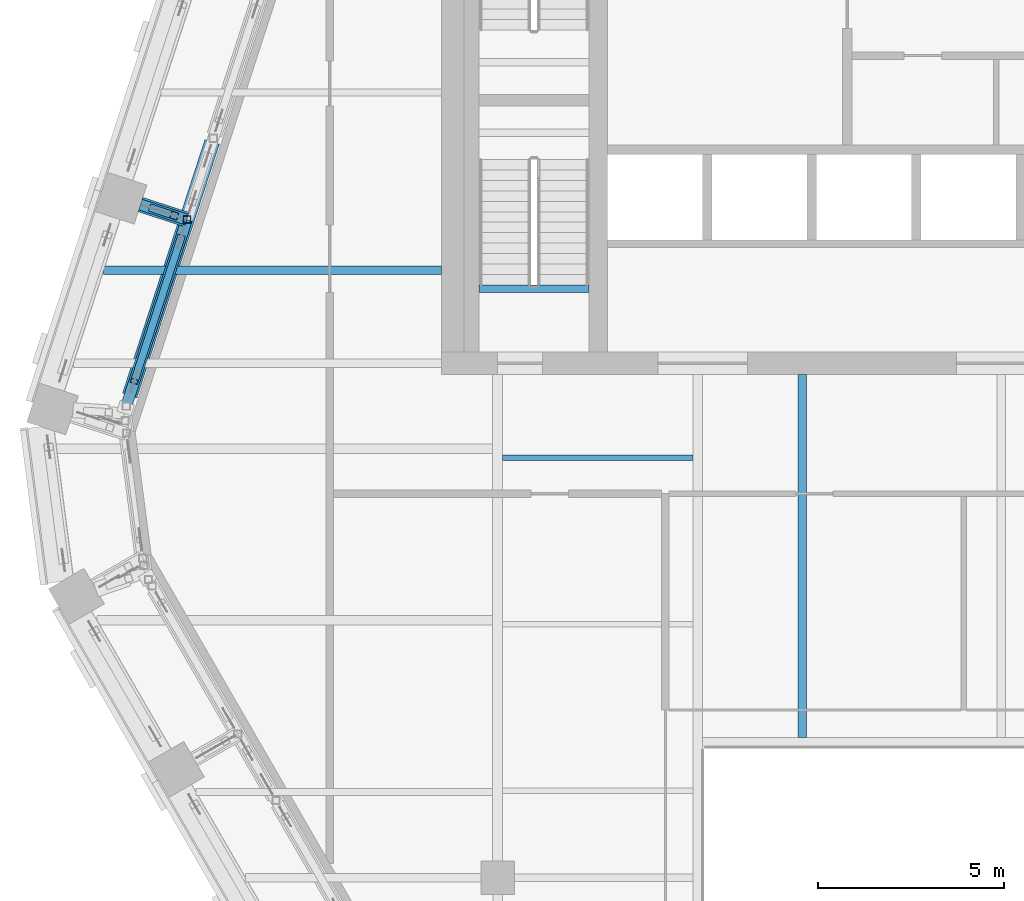
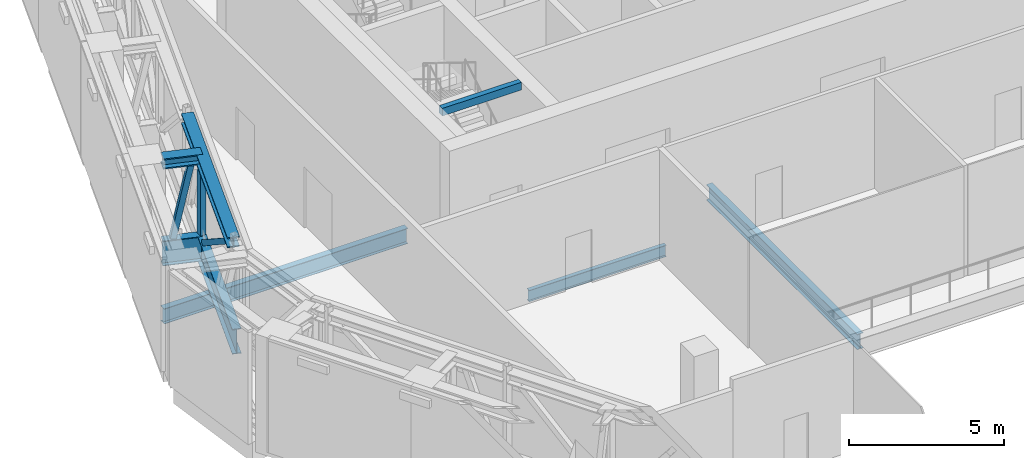
# One storey, part 6 of 25: 7 members, 4 beams.
"""IFC4 building model written with IfcOpenShell, lengths in metres."""

import ifcopenshell
import ifcopenshell.guid

model = None  # the IFC model being written
_history = None  # IfcOwnerHistory: only IFC2X3 demands one
_inside = {}  # id of a spatial element -> (the spatial element, [elements in it])
_under = {}  # id of a project, library or spatial element -> (it, [spatial elements below it])
_declared = {}  # id of a project -> (the project, [libraries it declares])
_typed = {}  # id of a type object -> (the type object, [elements of that type])
_made_of = {}  # id of a material, layer set ... -> (it, [elements and type objects made of it])


def new_model(schema):
    """Start an empty IFC model of exactly this schema.

    Asked for "IFC4X3", IfcOpenShell would pick the latest addendum, in which some entities
    have other attributes; the version numbers below select the first issue.
    IFC2X3 requires an IfcOwnerHistory on every rooted entity: one is made here for all.
    """
    global model, _history
    if schema == "IFC4X3":
        model = ifcopenshell.file(schema_version=(4, 3, 0, 0))
    else:
        model = ifcopenshell.file(schema=schema)
    _inside.clear()
    _under.clear()
    _declared.clear()
    _typed.clear()
    _made_of.clear()
    _history = None
    if model.schema == "IFC2X3":
        org = make("IfcOrganization", Name="unknown")
        user = make(
            "IfcPersonAndOrganization",
            ThePerson=make("IfcPerson", FamilyName="unknown"),
            TheOrganization=org,
        )
        app = make(
            "IfcApplication",
            ApplicationDeveloper=org,
            Version="unknown",
            ApplicationFullName="unknown",
            ApplicationIdentifier="unknown",
        )
        _history = make(
            "IfcOwnerHistory",
            OwningUser=user,
            OwningApplication=app,
            ChangeAction="ADDED",
            CreationDate=0,
        )
    return model


def make(cls, **values):
    """One entity of the class cls with the attributes given. An attribute that is None is left unset."""
    return model.create_entity(
        cls, **{name: value for name, value in values.items() if value is not None}
    )


def rooted(cls, **values):
    """An entity with a GlobalId (a new one), such as an element, a storey or a relation."""
    return make(cls, GlobalId=ifcopenshell.guid.new(), OwnerHistory=_history, **values)


def si_unit(unit_type, name, prefix=None):
    """IfcSIUnit, for example si_unit("LENGTHUNIT", "METRE", prefix="MILLI")."""
    return make("IfcSIUnit", UnitType=unit_type, Prefix=prefix, Name=name)


def assignment(units):
    """IfcUnitAssignment: the units of a project."""
    return None if units is None else make("IfcUnitAssignment", Units=units)


def point(xyz):
    """IfcCartesianPoint."""
    return None if xyz is None else make("IfcCartesianPoint", Coordinates=xyz)


def direction(xyz):
    """IfcDirection."""
    return None if xyz is None else make("IfcDirection", DirectionRatios=xyz)


def frame(location, z_axis=None, x_axis=None):
    """IfcAxis2Placement3D, a coordinate frame: its origin and axes. An axis left out is left unset."""
    return make(
        "IfcAxis2Placement3D",
        Location=point(location),
        Axis=direction(z_axis),
        RefDirection=direction(x_axis),
    )


def frame_2d(location, x_axis=None):
    """IfcAxis2Placement2D, a coordinate frame in the plane: its origin and x axis."""
    return make(
        "IfcAxis2Placement2D", Location=point(location), RefDirection=direction(x_axis)
    )


def origin():
    """The frame at (0, 0, 0) with its axes left unset."""
    return frame((0.0, 0.0, 0.0))


def origin_2d():
    """The frame at (0, 0) in the plane with its x axis left unset."""
    return frame_2d((0.0, 0.0))


def place(relative_to, where):
    """IfcLocalPlacement: puts the frame where relative to a parent placement (None: the world)."""
    return make(
        "IfcLocalPlacement", PlacementRelTo=relative_to, RelativePlacement=where
    )


def context(
    kind, dimensions, precision=None, world=None, true_north=None, identifier=None
):
    """IfcGeometricRepresentationContext, for example the 3D "Model" context."""
    return make(
        "IfcGeometricRepresentationContext",
        ContextIdentifier=identifier,
        ContextType=kind,
        CoordinateSpaceDimension=dimensions,
        Precision=precision,
        WorldCoordinateSystem=world,
        TrueNorth=true_north,
    )


def subcontext(parent, identifier, kind, view, scale=None):
    """IfcGeometricRepresentationSubContext, for example "Body" below "Model"."""
    return make(
        "IfcGeometricRepresentationSubContext",
        ContextIdentifier=identifier,
        ContextType=kind,
        ParentContext=parent,
        TargetScale=scale,
        TargetView=view,
    )


def project(units=None, contexts=None):
    """IfcProject with its units and contexts."""
    return rooted(
        "IfcProject",
        Name="project",
        RepresentationContexts=contexts,
        UnitsInContext=assignment(units),
    )


def spatial(cls, under=None, at=None, **own):
    """A site, building, storey or space (cls), placed at a placement, below another one or the project."""
    s = rooted(cls, ObjectPlacement=at, **own)
    if under is not None:
        _under.setdefault(under.id(), (under, []))[1].append(s)
    return s


def profile(cls, at=None, kind="AREA", **sizes):
    """A parametric profile (cls). Its sizes go by their IFC names, for example OverallWidth=200.0."""
    return make(cls, ProfileType=kind, Position=at, **sizes)


def rectangle(**sizes):
    """IfcRectangleProfileDef."""
    return profile("IfcRectangleProfileDef", **sizes)


def hollow_rectangle(**sizes):
    """IfcRectangleHollowProfileDef."""
    return profile("IfcRectangleHollowProfileDef", **sizes)


def i_section(**sizes):
    """IfcIShapeProfileDef."""
    return profile("IfcIShapeProfileDef", **sizes)


def extrude(swept, where, along, depth):
    """IfcExtrudedAreaSolid: the profile swept, set in the frame where, extruded along a direction by depth."""
    return make(
        "IfcExtrudedAreaSolid",
        SweptArea=swept,
        Position=where,
        ExtrudedDirection=direction(along),
        Depth=depth,
    )


def shape(context_of_items, identifier, shape_type, items):
    """IfcShapeRepresentation: the items that make up one representation, for example the "Body"."""
    return make(
        "IfcShapeRepresentation",
        ContextOfItems=context_of_items,
        RepresentationIdentifier=identifier,
        RepresentationType=shape_type,
        Items=items,
    )


def material(Name=None, Category=None):
    """IfcMaterial."""
    return make("IfcMaterial", Name=Name, Category=Category)


def material_profile(
    of_material, cross_section, Name=None, Category=None, Priority=None
):
    """IfcMaterialProfile: a cross section and its material."""
    return make(
        "IfcMaterialProfile",
        Name=Name,
        Material=of_material,
        Profile=cross_section,
        Priority=Priority,
        Category=Category,
    )


def profile_set(profiles, Name=None, composite=None):
    """IfcMaterialProfileSet."""
    return make(
        "IfcMaterialProfileSet",
        Name=Name,
        MaterialProfiles=profiles,
        CompositeProfile=composite,
    )


def made_of(thing, what):
    """Note that an element or type object is made of a material, layer set ...; save() writes the relation."""
    if what is not None:
        _made_of.setdefault(what.id(), (what, []))[1].append(thing)
    return thing


def type_object(cls, material=None, **own):
    """A type object (cls), such as IfcWallType, which elements share."""
    return made_of(rooted(cls, **own), material)


def element(
    cls,
    number,
    at=None,
    inside=None,
    cuts=None,
    type_object=None,
    material=None,
    context=None,
    identifier="Body",
    shape_type=None,
    held_by="IfcProductDefinitionShape",
    body=None,
    shapes=None,
    **own,
):
    """One element of the class cls, such as IfcWall. Its Tag is "e" and its number.

    at: its placement. inside: the storey or other place that contains it. cuts: it is an
    opening in that element (IfcRelVoidsElement). A single representation is given by context,
    identifier, shape_type and body (its items); several are given by shapes. held_by: the class
    of the entity that holds the representations. save() writes the other relations.
    """
    e = rooted(cls, Tag="e%d" % number, ObjectPlacement=at, **own)
    if body is not None:
        shapes = [shape(context, identifier, shape_type, body)]
    if shapes is not None:
        e.Representation = make(held_by, Representations=shapes)
    if inside is not None:
        _inside.setdefault(inside.id(), (inside, []))[1].append(e)
    if cuts is not None:
        rooted(
            "IfcRelVoidsElement", RelatingBuildingElement=cuts, RelatedOpeningElement=e
        )
    if type_object is not None:
        _typed.setdefault(type_object.id(), (type_object, []))[1].append(e)
    return made_of(e, material)


def aggregate(whole, parts):
    """IfcRelAggregates: a whole, such as a stair, and the parts it consists of."""
    return rooted("IfcRelAggregates", RelatingObject=whole, RelatedObjects=parts)


def save(model, path):
    """Write the relations noted so far, then the file.

    IfcRelAggregates (storeys below a building ...), IfcRelContainedInSpatialStructure (elements
    in a storey), IfcRelDefinesByType, IfcRelAssociatesMaterial and IfcRelDeclares: one each for
    every whole, place, type object, material and project.
    """
    for whole, parts in _under.values():
        aggregate(whole, parts)
    for where, things in _inside.values():
        rooted(
            "IfcRelContainedInSpatialStructure",
            RelatedElements=things,
            RelatingStructure=where,
        )
    for kind, things in _typed.values():
        rooted("IfcRelDefinesByType", RelatedObjects=things, RelatingType=kind)
    for what, things in _made_of.values():
        rooted("IfcRelAssociatesMaterial", RelatedObjects=things, RelatingMaterial=what)
    for by, libraries in _declared.values():
        rooted("IfcRelDeclares", RelatingContext=by, RelatedDefinitions=libraries)
    model.write(path)


model = new_model("IFC4")

# Units and contexts
model_context = context("Model", 3, precision=1e-05, world=origin(), true_north=direction((0.0, 1.0)))
body_context = subcontext(model_context, "Body", "Model", "MODEL_VIEW")
ifc_project = project(units=[si_unit("LENGTHUNIT", "METRE"), si_unit("AREAUNIT", "SQUARE_METRE"), si_unit("VOLUMEUNIT", "CUBIC_METRE"), si_unit("PLANEANGLEUNIT", "RADIAN"), si_unit("MASSUNIT", "GRAM", prefix="KILO")], contexts=[model_context])

# Site, building, storey
site_placement = place(None, origin())
site = spatial("IfcSite", under=ifc_project, at=site_placement, CompositionType="ELEMENT")
building_placement = place(site_placement, origin())
building = spatial("IfcBuilding", under=site, at=building_placement, Name="Isthmus Gate Tower", CompositionType="ELEMENT")
storey_placement = place(building_placement, frame((0.0, 0.0, 256.449951171875)))
storey = spatial("IfcBuildingStorey", under=building, at=storey_placement, Name="L65", CompositionType="ELEMENT", Elevation=256.449951171875)

# Beams
ifc_material_1 = material(Name="Concrete f'c 40 MPa", Category="concrete")
ifc_material_profile_1 = material_profile(ifc_material_1, rectangle(XDim=0.199951171875, YDim=0.300048828125, at=origin_2d()), Name="STAIR LANDING BEAM RC 200 X 300")
ifc_profile_set_1 = profile_set([ifc_material_profile_1], Name="Concrete f'c 40 MPa")
beam_type_1 = type_object("IfcBeamType", Name="STAIR LANDING BEAM RC 200 X 300", PredefinedType="BEAM", material=ifc_profile_set_1)
beam_1_placement = place(storey_placement, frame((-14.0, 2.2998046875, 4.199951171875), z_axis=(1.0, 0.0, 0.0), x_axis=(0.0, 1.0, 0.0)))
element("IfcBeam", 1, at=beam_1_placement, inside=storey, type_object=beam_type_1, Name="L65 ST7 floor-edge seat beam", PredefinedType="BEAM", context=body_context, shape_type="SweptSolid", body=[
    extrude(rectangle(XDim=0.199951171875, YDim=0.300048828125, at=origin_2d()), origin(), (0.0, 0.0, 1.0), 2.949951171875),
])
ifc_material_2 = material(Name="Structural steel ASTM A992 Gr 50", Category="steel")
ifc_material_profile_2 = material_profile(ifc_material_2, i_section(OverallWidth=0.15234375, OverallDepth=0.45068359375, WebThickness=0.0078125, FlangeThickness=0.010986328125, at=origin_2d()), Name="W18X35")
ifc_profile_set_2 = profile_set([ifc_material_profile_2], Name="Structural steel ASTM A992 Gr 50")
beam_type_2 = type_object("IfcBeamType", Name="STEEL FLOOR BEAM W18X35", PredefinedType="JOIST", material=ifc_profile_set_2)
beam_2_placement = place(storey_placement, frame((-13.3681640625, -2.232421875, -0.525390625), z_axis=(1.0, 0.0, 0.0), x_axis=(0.0, 1.0, 0.0)))
element("IfcBeam", 2, at=beam_2_placement, inside=storey, type_object=beam_type_2, Name="str-beam-L65-03-02", PredefinedType="JOIST", context=body_context, shape_type="SweptSolid", body=[
    extrude(i_section(OverallWidth=0.15234375, OverallDepth=0.45068359375, WebThickness=0.0078125, FlangeThickness=0.010986328125, at=origin_2d()), origin(), (0.0, 0.0, 1.0), 5.104736328125),
])
ifc_material_3 = material(Name="Structural steel ASTM A992 Gr 50", Category="steel")
ifc_material_profile_3 = material_profile(ifc_material_3, i_section(OverallWidth=0.228515625, OverallDepth=0.603271484375, WebThickness=0.010986328125, FlangeThickness=0.014404296875, at=origin_2d()), Name="W24X68")
ifc_profile_set_3 = profile_set([ifc_material_profile_3], Name="Structural steel ASTM A992 Gr 50")
beam_type_3 = type_object("IfcBeamType", Name="STEEL FLOOR BEAM W24X68", PredefinedType="JOIST", material=ifc_profile_set_3)
beam_3_placement = place(storey_placement, frame((-24.06787109375, 2.795166015625, -0.6015625), z_axis=(1.0, 0.0, 0.0), x_axis=(0.0, 1.0, 0.0)))
element("IfcBeam", 3, at=beam_3_placement, inside=storey, type_object=beam_type_3, Name="str-beam-L65-00-00", PredefinedType="JOIST", context=body_context, shape_type="SweptSolid", body=[
    extrude(i_section(OverallWidth=0.228515625, OverallDepth=0.603271484375, WebThickness=0.010986328125, FlangeThickness=0.014404296875, at=origin_2d()), origin(), (0.0, 0.0, 1.0), 9.06787109375),
])
beam_4_placement = place(storey_placement, frame((-5.333251953125, -9.7333984375, -0.6015625), z_axis=(0.0, 1.0, 0.0), x_axis=(-1.0, 0.0, 0.0)))
element("IfcBeam", 4, at=beam_4_placement, inside=storey, type_object=beam_type_3, Name="str-beam-L65-07-00", PredefinedType="JOIST", context=body_context, shape_type="SweptSolid", body=[
    extrude(i_section(OverallWidth=0.228515625, OverallDepth=0.603271484375, WebThickness=0.010986328125, FlangeThickness=0.014404296875, at=origin_2d()), origin(), (0.0, 0.0, 1.0), 9.7333984375),
])

# Members
ifc_material_4 = material(Name="Structural steel ASTM A913 Gr 65", Category="steel")
ifc_material_profile_4 = material_profile(ifc_material_4, i_section(OverallWidth=0.4033203125, OverallDepth=0.406494140625, WebThickness=0.027099609375, FlangeThickness=0.04443359375, at=origin_2d()), Name="W14X233")
ifc_profile_set_4 = profile_set([ifc_material_profile_4], Name="Structural steel ASTM A913 Gr 65")
member_type_1 = type_object("IfcMemberType", Name="TRANSFER TRUSS CHORD W14X233", PredefinedType="CHORD", material=ifc_profile_set_4)
member_1_placement = place(storey_placement, frame((-23.366455078125, -0.5673828125, 4.046875), z_axis=(0.309039758723, 0.951049119409, 0.0), x_axis=(-0.951049119409, 0.309039758723, 0.0)))
element("IfcMember", 5, at=member_1_placement, inside=storey, type_object=member_type_1, Name="str-ring09-L65-15", PredefinedType="CHORD", context=body_context, shape_type="SweptSolid", body=[
    extrude(i_section(OverallWidth=0.4033203125, OverallDepth=0.406494140625, WebThickness=0.027099609375, FlangeThickness=0.04443359375, at=origin_2d()), origin(), (0.0, 0.0, 1.0), 7.15185546875),
])
member_2_placement = place(storey_placement, frame((-23.076416015625, 4.552490234375, 4.046875), z_axis=(0.951084872298, -0.308929709945, 0.0), x_axis=(0.308929709945, 0.951084872298, 0.0)))
element("IfcMember", 6, at=member_2_placement, inside=storey, type_object=member_type_1, Name="str-link08-L65-02", PredefinedType="CHORD", context=body_context, shape_type="SweptSolid", body=[
    extrude(i_section(OverallWidth=0.4033203125, OverallDepth=0.406494140625, WebThickness=0.027099609375, FlangeThickness=0.04443359375, at=origin_2d()), origin(), (0.0, 0.0, 1.0), 1.306396484375),
])
ifc_material_5 = material(Name="Structural steel ASTM A913 Gr 65", Category="steel")
ifc_material_profile_5 = material_profile(ifc_material_5, i_section(OverallWidth=0.29833984375, OverallDepth=0.981201171875, WebThickness=0.015869140625, FlangeThickness=0.025390625, at=origin_2d()), Name="W40X167")
ifc_profile_set_5 = profile_set([ifc_material_profile_5], Name="Structural steel ASTM A913 Gr 65")
member_type_2 = type_object("IfcMemberType", Name="TRANSFER TRUSS CHORD W40X167", PredefinedType="CHORD", material=ifc_profile_set_5)
member_3_placement = place(storey_placement, frame((-23.521240234375, -1.04443359375, 0.490478515625), z_axis=(0.309003180574, 0.95106100456, 0.0), x_axis=(-0.95106100456, 0.309003180574, 0.0)))
element("IfcMember", 7, at=member_3_placement, inside=storey, type_object=member_type_2, Name="str-ring09-L65-10", PredefinedType="CHORD", context=body_context, shape_type="SweptSolid", body=[
    extrude(i_section(OverallWidth=0.29833984375, OverallDepth=0.981201171875, WebThickness=0.015869140625, FlangeThickness=0.025390625, at=origin_2d()), origin(), (0.0, 0.0, 1.0), 5.461181640625),
])
member_4_placement = place(storey_placement, frame((-23.076416015625, 4.552490234375, 0.490478515625), z_axis=(0.951084872298, -0.308929709945, 0.0), x_axis=(0.308929709945, 0.951084872298, 0.0)))
element("IfcMember", 8, at=member_4_placement, inside=storey, type_object=member_type_2, Name="str-link08-L65-01", PredefinedType="CHORD", context=body_context, shape_type="SweptSolid", body=[
    extrude(i_section(OverallWidth=0.29833984375, OverallDepth=0.981201171875, WebThickness=0.015869140625, FlangeThickness=0.025390625, at=origin_2d()), origin(), (0.0, 0.0, 1.0), 1.306396484375),
])
ifc_material_6 = material(Name="Structural steel ASTM A500 Gr C", Category="steel")
ifc_material_profile_6 = material_profile(ifc_material_6, hollow_rectangle(XDim=0.203125, YDim=0.203125, WallThickness=0.01171875, at=origin_2d()), Name="HSS8X8X1/2")
ifc_profile_set_6 = profile_set([ifc_material_profile_6], Name="Structural steel ASTM A500 Gr C")
member_type_3 = type_object("IfcMemberType", Name="TRANSFER TRUSS DIAGONAL HSS8X8X1/2", PredefinedType="BRACE", material=ifc_profile_set_6)
member_5_placement = place(storey_placement, frame((-21.98828125, 3.673828125, 0.981201171875), z_axis=(-0.252566092479, -0.777353226269, 0.576135687611), x_axis=(0.951060572715, -0.309004509719, 0.0)))
element("IfcMember", 9, at=member_5_placement, inside=storey, type_object=member_type_3, Name="str-ring09-L65-19", PredefinedType="BRACE", context=body_context, shape_type="SweptSolid", body=[
    extrude(hollow_rectangle(XDim=0.203125, YDim=0.203125, WallThickness=0.01171875, at=origin_2d()), origin(), (0.0, 0.0, 1.0), 4.968505859375),
])
member_6_placement = place(storey_placement, frame((-22.740478515625, 4.443359375, 0.981201171875), z_axis=(0.195079967594, -0.063357165342, 0.978738819013), x_axis=(0.308892816854, 0.951096855055, 0.0)))
element("IfcMember", 10, at=member_6_placement, inside=storey, type_object=member_type_3, Name="str-link08-L65-03", PredefinedType="BRACE", context=body_context, shape_type="SweptSolid", body=[
    extrude(hollow_rectangle(XDim=0.203125, YDim=0.203125, WallThickness=0.01171875, at=origin_2d()), origin(), (0.0, 0.0, 1.0), 2.9248046875),
])
ifc_material_7 = material(Name="Structural steel ASTM A500 Gr C", Category="steel")
ifc_material_profile_7 = material_profile(ifc_material_7, hollow_rectangle(XDim=0.203125, YDim=0.203125, WallThickness=0.01171875, at=origin_2d()), Name="HSS8X8X1/2")
ifc_profile_set_7 = profile_set([ifc_material_profile_7], Name="Structural steel ASTM A500 Gr C")
member_type_4 = type_object("IfcMemberType", Name="TRANSFER TRUSS POST HSS8X8X1/2", PredefinedType="POST", material=ifc_profile_set_7)
member_7_placement = place(storey_placement, frame((-21.833740234375, 4.1494140625, 0.981201171875), z_axis=(0.0, 0.0, 1.0), x_axis=(1.0, 0.0, 0.0)))
element("IfcMember", 11, at=member_7_placement, inside=storey, type_object=member_type_4, Name="str-ring09-L65-03", PredefinedType="POST", context=body_context, shape_type="SweptSolid", body=[
    extrude(hollow_rectangle(XDim=0.203125, YDim=0.203125, WallThickness=0.01171875, at=origin_2d()), origin(), (0.0, 0.0, 1.0), 2.862548828125),
])

save(model, "model.ifc")
